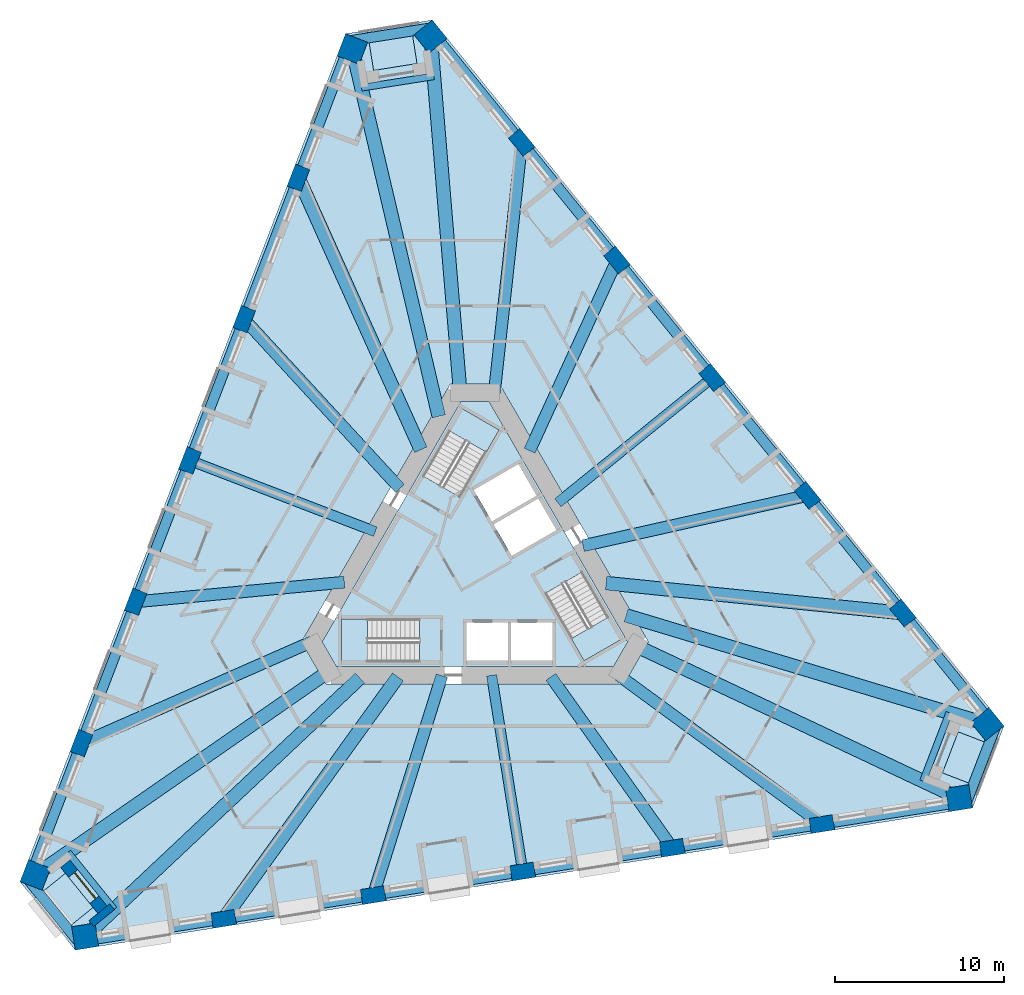
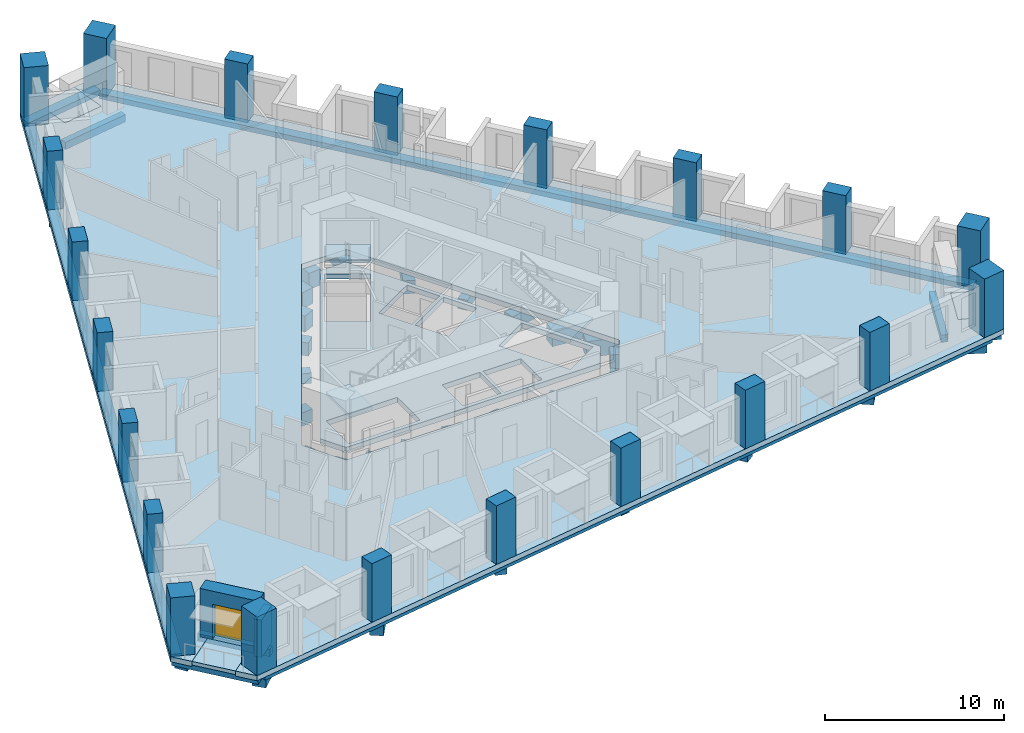
# One storey, part 1 of 14: 30 beams, 21 columns, 8 slabs, 2 walls, 1 door, 1 opening, 3 elements without a shape of their own.
"""IFC4 building model written with IfcOpenShell, lengths in metres."""

from ifc_helpers import new_model, si_unit, direction, frame, frame_2d, origin, origin_2d, place, context, subcontext, project, spatial, polyline, rectangle, outline, extrude, material, layer, layer_set, material_profile, profile_set, type_object, element, fill, aggregate, save


model = new_model("IFC4")

# Units and contexts
model_context = context("Model", 3, precision=1e-05, world=origin(), true_north=direction((0.0, 1.0)))
body_context = subcontext(model_context, "Body", "Model", "MODEL_VIEW")
ifc_project = project(units=[si_unit("LENGTHUNIT", "METRE"), si_unit("AREAUNIT", "SQUARE_METRE"), si_unit("VOLUMEUNIT", "CUBIC_METRE"), si_unit("PLANEANGLEUNIT", "RADIAN"), si_unit("MASSUNIT", "GRAM", prefix="KILO")], contexts=[model_context])

# Site, building, storey
site_placement = place(None, origin())
site = spatial("IfcSite", under=ifc_project, at=site_placement, CompositionType="ELEMENT")
building_placement = place(site_placement, origin())
building = spatial("IfcBuilding", under=site, at=building_placement, Name="Tramontana Tower", CompositionType="ELEMENT")
storey_placement = place(building_placement, frame((0.0, 0.0, 59.199951171875)))
storey = spatial("IfcBuildingStorey", under=building, at=storey_placement, Name="L12", CompositionType="ELEMENT", Elevation=59.199951171875)

# Columns
ifc_material_1 = material(Name="Concrete 70 MPa", Category="concrete")
ifc_material_profile_1 = material_profile(ifc_material_1, rectangle(XDim=1.39990234375, YDim=1.39990234375, at=origin_2d()), Name="Mega column 1400X1400 70 MPa")
ifc_profile_set_1 = profile_set([ifc_material_profile_1], Name="Concrete 70 MPa")
column_type_1 = type_object("IfcColumnType", Name="Mega column 1400X1400 70 MPa", PredefinedType="COLUMN", material=ifc_profile_set_1)
for number, where, z_axis, x_axis, name in (
    (1, (-7.24755859375, 30.7890625, 0.0), (0.0, 0.0, 1.0), (-0.358367949545, -0.933580426497, 0.0), "Mega column C1K1 L12"),
    (2, (-25.98779296875, -18.03125, 0.0), (0.0, 0.0, 1.0), (-0.358367949545, -0.933580426497, 0.0), "Mega column C1K2 L12"),
    (3, (-23.040283203125, -21.671142578125, 0.0), (0.0, 0.0, 1.0), (0.987688340595, 0.15643446504, 0.0), "Mega column C1K3 L12"),
    (4, (28.609375, -13.490478515625, 0.0), (0.0, 0.0, 1.0), (0.987688340595, 0.15643446504, 0.0), "Mega column C1K4 L12"),
    (5, (30.287841796875, -9.117919921875, 0.0), (0.0, 0.0, 1.0), (-0.62932039105, 0.777145961457, 0.0), "Mega column C1K5 L12"),
    (6, (-2.62158203125, 31.521728515625, 0.0), (0.0, 0.0, 1.0), (-0.62932039105, 0.777145961457, 0.0), "Mega column C1K6 L12"),
):
    element("IfcColumn", number, at=place(storey_placement, frame(where, z_axis=z_axis, x_axis=x_axis)), inside=storey, type_object=column_type_1, Name=name, PredefinedType="COLUMN", context=body_context, shape_type="SweptSolid", body=[
        extrude(rectangle(XDim=1.39990234375, YDim=1.39990234375, at=origin_2d()), origin(), (0.0, 0.0, 1.0), 4.0),
    ])
ifc_material_2 = material(Name="Concrete 55 MPa", Category="concrete")
ifc_material_profile_2 = material_profile(ifc_material_2, rectangle(XDim=1.39990234375, YDim=0.89990234375, at=origin_2d()), Name="Pier column 1400X900 55 MPa")
ifc_profile_set_2 = profile_set([ifc_material_profile_2], Name="Concrete 55 MPa")
column_type_2 = type_object("IfcColumnType", Name="Pier column 1400X900 55 MPa", PredefinedType="COLUMN", material=ifc_profile_set_2)
for number, where, z_axis, x_axis, name in (
    (7, (-10.43701171875, 23.177734375, 0.0), (0.0, 0.0, 1.0), (-0.358367949545, -0.933580426497, 0.0), "Pier column C1F01 L12"),
    (8, (-13.64404296875, 14.822998046875, 0.0), (0.0, 0.0, 1.0), (-0.358367949545, -0.933580426497, 0.0), "Pier column C1F02 L12"),
    (9, (-16.85107421875, 6.468505859375, 0.0), (0.0, 0.0, 1.0), (-0.358367949545, -0.933580426497, 0.0), "Pier column C1F03 L12"),
    (10, (-20.05810546875, -1.885986328125, 0.0), (0.0, 0.0, 1.0), (-0.358367949545, -0.933580426497, 0.0), "Pier column C1F04 L12"),
    (11, (-23.26513671875, -10.240478515625, 0.0), (0.0, 0.0, 1.0), (-0.358367949545, -0.933580426497, 0.0), "Pier column C1F05 L12"),
    (12, (-14.853759765625, -20.627685546875, 0.0), (0.0, 0.0, 1.0), (0.987688340595, 0.15643446504, 0.0), "Pier column C1F06 L12"),
    (13, (-6.01513671875, -19.227783203125, 0.0), (0.0, 0.0, 1.0), (0.987688340595, 0.15643446504, 0.0), "Pier column C1F07 L12"),
    (14, (2.82373046875, -17.827880859375, 0.0), (0.0, 0.0, 1.0), (0.987688340595, 0.15643446504, 0.0), "Pier column C1F08 L12"),
    (15, (11.662353515625, -16.427734375, 0.0), (0.0, 0.0, 1.0), (0.987688340595, 0.15643446504, 0.0), "Pier column C1F09 L12"),
    (16, (20.501220703125, -15.02783203125, 0.0), (0.0, 0.0, 1.0), (0.987688340595, 0.15643446504, 0.0), "Pier column C1F10 L12"),
    (17, (25.291015625, -2.550048828125, 0.0), (0.0, 0.0, 1.0), (-0.62932039105, 0.777145961457, 0.0), "Pier column C1F11 L12"),
    (18, (19.6591796875, 4.404541015625, 0.0), (0.0, 0.0, 1.0), (-0.62932039105, 0.777145961457, 0.0), "Pier column C1F12 L12"),
    (19, (14.027587890625, 11.359130859375, 0.0), (0.0, 0.0, 1.0), (-0.62932039105, 0.777145961457, 0.0), "Pier column C1F13 L12"),
    (20, (8.395751953125, 18.31396484375, 0.0), (0.0, 0.0, 1.0), (-0.62932039105, 0.777145961457, 0.0), "Pier column C1F14 L12"),
    (21, (2.763916015625, 25.2685546875, 0.0), (0.0, 0.0, 1.0), (-0.62932039105, 0.777145961457, 0.0), "Pier column C1F15 L12"),
):
    element("IfcColumn", number, at=place(storey_placement, frame(where, z_axis=z_axis, x_axis=x_axis)), inside=storey, type_object=column_type_2, Name=name, PredefinedType="COLUMN", context=body_context, shape_type="SweptSolid", body=[
        extrude(rectangle(XDim=1.39990234375, YDim=0.89990234375, at=origin_2d()), origin(), (0.0, 0.0, 1.0), 4.0),
    ])

# Beams
ifc_material_3 = material(Name="Concrete 40 MPa", Category="concrete")
ifc_material_profile_3 = material_profile(ifc_material_3, rectangle(XDim=0.60009765625, YDim=0.35009765625, at=origin_2d()), Name="RC EDGE BEAM 600X350 40 MPa")
ifc_profile_set_3 = profile_set([ifc_material_profile_3], Name="Concrete 40 MPa")
beam_type_1 = type_object("IfcBeamType", Name="RC EDGE BEAM 600X350 40 MPa", PredefinedType="SPANDREL", material=ifc_profile_set_3)
beam_1_placement = place(storey_placement, frame((-7.48095703125, 30.878662109375, -0.52490234375), z_axis=(-0.358365819965, -0.933581243964, 0.0), x_axis=(0.933581243964, -0.358365819965, 0.0)))
element("IfcBeam", 22, at=beam_1_placement, inside=storey, type_object=beam_type_1, Name="Spandrel beam S0 L12", PredefinedType="SPANDREL", context=body_context, shape_type="SweptSolid", body=[
    extrude(rectangle(XDim=0.60009765625, YDim=0.35009765625, at=origin_2d()), origin(), (0.0, 0.0, 1.0), 52.293701171875),
])
beam_2_placement = place(storey_placement, frame((-23.001220703125, -21.91796875, -0.52490234375), z_axis=(0.987688583718, 0.156432930012, 0.0), x_axis=(-0.156432930012, 0.987688583718, 0.0)))
element("IfcBeam", 23, at=beam_2_placement, inside=storey, type_object=beam_type_1, Name="Spandrel beam S1 L12", PredefinedType="SPANDREL", context=body_context, shape_type="SweptSolid", body=[
    extrude(rectangle(XDim=0.60009765625, YDim=0.35009765625, at=origin_2d()), origin(), (0.0, 0.0, 1.0), 52.29345703125),
])
beam_3_placement = place(storey_placement, frame((30.482177734375, -8.960693359375, -0.52490234375), z_axis=(-0.62931909415, 0.777147011664, 0.0), x_axis=(-0.777147011664, -0.62931909415, 0.0)))
element("IfcBeam", 24, at=beam_3_placement, inside=storey, type_object=beam_type_1, Name="Spandrel beam S2 L12", PredefinedType="SPANDREL", context=body_context, shape_type="SweptSolid", body=[
    extrude(rectangle(XDim=0.60009765625, YDim=0.35009765625, at=origin_2d()), origin(), (0.0, 0.0, 1.0), 52.293701171875),
])
beam_4_placement = place(storey_placement, frame((-2.447509765625, 32.061767578125, -0.52490234375), z_axis=(-0.987692388858, -0.156408903173, 0.0), x_axis=(0.156408903173, -0.987692388858, 0.0)))
element("IfcBeam", 25, at=beam_4_placement, inside=storey, type_object=beam_type_1, Name="Spandrel beam K0 L12", PredefinedType="SPANDREL", context=body_context, shape_type="SweptSolid", body=[
    extrude(rectangle(XDim=0.60009765625, YDim=0.35009765625, at=origin_2d()), origin(), (0.0, 0.0, 1.0), 5.1962890625),
])
for number, where, z_axis, x_axis, name in (
    (26, (-26.54248046875, -18.150634765625, -0.52490234375), (0.629325274503, -0.777142006889, 0.0), (0.777142006889, 0.629325274503, 0.0), "Spandrel beam K1 L12"),
    (27, (28.990234375, -13.9111328125, -0.52490234375), (0.358368174287, 0.933580340227, 0.0), (-0.933580340227, 0.358368174287, 0.0), "Spandrel beam K2 L12"),
):
    element("IfcBeam", number, at=place(storey_placement, frame(where, z_axis=z_axis, x_axis=x_axis)), inside=storey, type_object=beam_type_1, Name=name, PredefinedType="SPANDREL", context=body_context, shape_type="SweptSolid", body=[
        extrude(rectangle(XDim=0.60009765625, YDim=0.35009765625, at=origin_2d()), origin(), (0.0, 0.0, 1.0), 5.196044921875),
    ])
ifc_material_4 = material(Name="Concrete 40 MPa", Category="concrete")
ifc_material_profile_4 = material_profile(ifc_material_4, rectangle(XDim=0.60009765625, YDim=0.699951171875, at=origin_2d()), Name="RC GIRDER 600X700 40 MPa")
ifc_profile_set_4 = profile_set([ifc_material_profile_4], Name="Concrete 40 MPa")
beam_type_2 = type_object("IfcBeamType", Name="RC GIRDER 600X700 40 MPa", PredefinedType="BEAM", material=ifc_profile_set_4)
beam_5_placement = place(storey_placement, frame((-16.85107421875, 6.468505859375, -0.699951171875), z_axis=(0.933580146246, -0.358368679624, 0.0), x_axis=(0.358368679624, 0.933580146246, 0.0)))
element("IfcBeam", 28, at=beam_5_placement, inside=storey, type_object=beam_type_2, Name="Radial girder C1F03 L12", PredefinedType="BEAM", context=body_context, shape_type="SweptSolid", body=[
    extrude(rectangle(XDim=0.60009765625, YDim=0.699951171875, at=origin_2d()), origin(), (0.0, 0.0, 1.0), 11.74072265625),
])
for number, where, z_axis, x_axis, name in (
    (29, (2.823486328125, -17.827880859375, -0.699951171875), (-0.156412100064, 0.9876918826, 0.0), (-0.9876918826, -0.156412100064, 0.0), "Radial girder C1F08 L12"),
    (30, (14.027587890625, 11.359130859375, -0.699951171875), (-0.777154793409, -0.62930948434, 0.0), (0.62930948434, -0.777154793409, 0.0), "Radial girder C1F13 L12"),
):
    element("IfcBeam", number, at=place(storey_placement, frame(where, z_axis=z_axis, x_axis=x_axis)), inside=storey, type_object=beam_type_2, Name=name, PredefinedType="BEAM", context=body_context, shape_type="SweptSolid", body=[
        extrude(rectangle(XDim=0.60009765625, YDim=0.699951171875, at=origin_2d()), origin(), (0.0, 0.0, 1.0), 11.740966796875),
    ])
ifc_material_5 = material(Name="Concrete 40 MPa", Category="concrete")
ifc_material_profile_5 = material_profile(ifc_material_5, rectangle(XDim=0.699951171875, YDim=0.89990234375, at=origin_2d()), Name="RC GIRDER 700X900 40 MPa")
ifc_profile_set_5 = profile_set([ifc_material_profile_5], Name="Concrete 40 MPa")
beam_type_3 = type_object("IfcBeamType", Name="RC GIRDER 700X900 40 MPa", PredefinedType="BEAM", material=ifc_profile_set_5)
beam_6_placement = place(storey_placement, frame((-13.64404296875, 14.822998046875, -0.800048828125), z_axis=(0.677237750705, -0.735764248261, 0.0), x_axis=(0.735764248261, 0.677237750705, 0.0)))
element("IfcBeam", 31, at=beam_6_placement, inside=storey, type_object=beam_type_3, Name="Radial girder C1F02 L12", PredefinedType="BEAM", context=body_context, shape_type="SweptSolid", body=[
    extrude(rectangle(XDim=0.699951171875, YDim=0.89990234375, at=origin_2d()), origin(), (0.0, 0.0, 1.0), 13.598876953125),
])
beam_7_placement = place(storey_placement, frame((-20.05810546875, -1.885986328125, -0.800048828125), z_axis=(0.995608960431, 0.093609817375, 0.0), x_axis=(-0.093609817375, 0.995608960431, 0.0)))
element("IfcBeam", 32, at=beam_7_placement, inside=storey, type_object=beam_type_3, Name="Radial girder C1F04 L12", PredefinedType="BEAM", context=body_context, shape_type="SweptSolid", body=[
    extrude(rectangle(XDim=0.699951171875, YDim=0.89990234375, at=origin_2d()), origin(), (0.0, 0.0, 1.0), 12.3935546875),
])
beam_8_placement = place(storey_placement, frame((-23.26513671875, -10.240478515625, -0.800048828125), z_axis=(0.915262520168, 0.402857939199, 0.0), x_axis=(-0.402857939199, 0.915262520168, 0.0)))
element("IfcBeam", 33, at=beam_8_placement, inside=storey, type_object=beam_type_3, Name="Radial girder C1F05 L12", PredefinedType="BEAM", context=body_context, shape_type="SweptSolid", body=[
    extrude(rectangle(XDim=0.699951171875, YDim=0.89990234375, at=origin_2d()), origin(), (0.0, 0.0, 1.0), 14.87841796875),
])
beam_9_placement = place(storey_placement, frame((-6.01513671875, -19.227783203125, -0.800048828125), z_axis=(0.298567329493, 0.954388573779, 0.0), x_axis=(-0.954388573779, 0.298567329493, 0.0)))
element("IfcBeam", 34, at=beam_9_placement, inside=storey, type_object=beam_type_3, Name="Radial girder C1F07 L12", PredefinedType="BEAM", context=body_context, shape_type="SweptSolid", body=[
    extrude(rectangle(XDim=0.699951171875, YDim=0.89990234375, at=origin_2d()), origin(), (0.0, 0.0, 1.0), 13.599365234375),
])
beam_10_placement = place(storey_placement, frame((11.662353515625, -16.427978515625, -0.800048828125), z_axis=(-0.578872935906, 0.815417760461, 0.0), x_axis=(-0.815417760461, -0.578872935906, 0.0)))
element("IfcBeam", 35, at=beam_10_placement, inside=storey, type_object=beam_type_3, Name="Radial girder C1F09 L12", PredefinedType="BEAM", context=body_context, shape_type="SweptSolid", body=[
    extrude(rectangle(XDim=0.699951171875, YDim=0.89990234375, at=origin_2d()), origin(), (0.0, 0.0, 1.0), 12.3935546875),
])
beam_11_placement = place(storey_placement, frame((20.501220703125, -15.02783203125, -0.800048828125), z_axis=(-0.806528613825, 0.591195056712, 0.0), x_axis=(-0.591195056712, -0.806528613825, 0.0)))
element("IfcBeam", 36, at=beam_11_placement, inside=storey, type_object=beam_type_3, Name="Radial girder C1F10 L12", PredefinedType="BEAM", context=body_context, shape_type="SweptSolid", body=[
    extrude(rectangle(XDim=0.699951171875, YDim=0.89990234375, at=origin_2d()), origin(), (0.0, 0.0, 1.0), 14.878662109375),
])
beam_12_placement = place(storey_placement, frame((19.6591796875, 4.404541015625, -0.800048828125), z_axis=(-0.975807938002, -0.218629522556, 0.0), x_axis=(0.218629522556, -0.975807938002, 0.0)))
element("IfcBeam", 37, at=beam_12_placement, inside=storey, type_object=beam_type_3, Name="Radial girder C1F12 L12", PredefinedType="BEAM", context=body_context, shape_type="SweptSolid", body=[
    extrude(rectangle(XDim=0.699951171875, YDim=0.89990234375, at=origin_2d()), origin(), (0.0, 0.0, 1.0), 13.59912109375),
])
beam_13_placement = place(storey_placement, frame((8.395751953125, 18.31396484375, -0.800048828125), z_axis=(-0.416724572993, -0.909032799333, 0.0), x_axis=(0.909032799333, -0.416724572993, 0.0)))
element("IfcBeam", 38, at=beam_13_placement, inside=storey, type_object=beam_type_3, Name="Radial girder C1F14 L12", PredefinedType="BEAM", context=body_context, shape_type="SweptSolid", body=[
    extrude(rectangle(XDim=0.699951171875, YDim=0.89990234375, at=origin_2d()), origin(), (0.0, 0.0, 1.0), 12.393798828125),
])
beam_14_placement = place(storey_placement, frame((2.763916015625, 25.2685546875, -0.800048828125), z_axis=(-0.108724057734, -0.994071968858, 0.0), x_axis=(0.994071968858, -0.108724057734, 0.0)))
element("IfcBeam", 39, at=beam_14_placement, inside=storey, type_object=beam_type_3, Name="Radial girder C1F15 L12", PredefinedType="BEAM", context=body_context, shape_type="SweptSolid", body=[
    extrude(rectangle(XDim=0.699951171875, YDim=0.89990234375, at=origin_2d()), origin(), (0.0, 0.0, 1.0), 14.878662109375),
])
ifc_material_6 = material(Name="Concrete 40 MPa", Category="concrete")
ifc_material_profile_6 = material_profile(ifc_material_6, rectangle(XDim=0.800048828125, YDim=1.10009765625, at=origin_2d()), Name="RC GIRDER 800X1100 40 MPa")
ifc_profile_set_6 = profile_set([ifc_material_profile_6], Name="Concrete 40 MPa")
beam_type_4 = type_object("IfcBeamType", Name="RC GIRDER 800X1100 40 MPa", PredefinedType="BEAM", material=ifc_profile_set_6)
beam_15_placement = place(storey_placement, frame((-7.24755859375, 30.7890625, -0.89990234375), z_axis=(0.229129631405, -0.973395917401, 0.0), x_axis=(0.973395917401, 0.229129631405, 0.0)))
element("IfcBeam", 40, at=beam_15_placement, inside=storey, type_object=beam_type_4, Name="Radial girder C1K1 L12", PredefinedType="BEAM", context=body_context, shape_type="SweptSolid", body=[
    extrude(rectangle(XDim=0.800048828125, YDim=1.10009765625, at=origin_2d()), origin(), (0.0, 0.0, 1.0), 22.30322265625),
])
beam_16_placement = place(storey_placement, frame((-10.43701171875, 23.177490234375, -0.89990234375), z_axis=(0.410600793892, -0.91181521596, 0.0), x_axis=(0.91181521596, 0.410600793892, 0.0)))
element("IfcBeam", 41, at=beam_16_placement, inside=storey, type_object=beam_type_4, Name="Radial girder C1F01 L12", PredefinedType="BEAM", context=body_context, shape_type="SweptSolid", body=[
    extrude(rectangle(XDim=0.800048828125, YDim=1.10009765625, at=origin_2d()), origin(), (0.0, 0.0, 1.0), 17.626220703125),
])
beam_17_placement = place(storey_placement, frame((-25.98779296875, -18.03125, -0.89990234375), z_axis=(0.821603252741, 0.570059729402, 0.0), x_axis=(-0.570059729402, 0.821603252741, 0.0)))
element("IfcBeam", 42, at=beam_17_placement, inside=storey, type_object=beam_type_4, Name="Radial girder C1K2 L12", PredefinedType="BEAM", context=body_context, shape_type="SweptSolid", body=[
    extrude(rectangle(XDim=0.800048828125, YDim=1.10009765625, at=origin_2d()), origin(), (0.0, 0.0, 1.0), 21.11767578125),
])
beam_18_placement = place(storey_placement, frame((-23.040283203125, -21.671142578125, -0.89990234375), z_axis=(0.728416554247, 0.685134529489, 0.0), x_axis=(-0.685134529489, 0.728416554247, 0.0)))
element("IfcBeam", 43, at=beam_18_placement, inside=storey, type_object=beam_type_4, Name="Radial girder C1K3 L12", PredefinedType="BEAM", context=body_context, shape_type="SweptSolid", body=[
    extrude(rectangle(XDim=0.800048828125, YDim=1.10009765625, at=origin_2d()), origin(), (0.0, 0.0, 1.0), 22.30322265625),
])
beam_19_placement = place(storey_placement, frame((-14.85400390625, -20.627685546875, -0.89990234375), z_axis=(0.584356173005, 0.81149729702, 0.0), x_axis=(-0.81149729702, 0.584356173005, 0.0)))
element("IfcBeam", 44, at=beam_19_placement, inside=storey, type_object=beam_type_4, Name="Radial girder C1F06 L12", PredefinedType="BEAM", context=body_context, shape_type="SweptSolid", body=[
    extrude(rectangle(XDim=0.800048828125, YDim=1.10009765625, at=origin_2d()), origin(), (0.0, 0.0, 1.0), 17.626220703125),
])
beam_20_placement = place(storey_placement, frame((28.609375, -13.490478515625, -0.89990234375), z_axis=(-0.904488564757, 0.426497873645, 0.0), x_axis=(-0.426497873645, -0.904488564757, 0.0)))
element("IfcBeam", 45, at=beam_20_placement, inside=storey, type_object=beam_type_4, Name="Radial girder C1K4 L12", PredefinedType="BEAM", context=body_context, shape_type="SweptSolid", body=[
    extrude(rectangle(XDim=0.800048828125, YDim=1.10009765625, at=origin_2d()), origin(), (0.0, 0.0, 1.0), 21.11767578125),
])
beam_21_placement = place(storey_placement, frame((30.287841796875, -9.117919921875, -0.89990234375), z_axis=(-0.957551991149, 0.288260618619, 0.0), x_axis=(-0.288260618619, -0.957551991149, 0.0)))
element("IfcBeam", 46, at=beam_21_placement, inside=storey, type_object=beam_type_4, Name="Radial girder C1K5 L12", PredefinedType="BEAM", context=body_context, shape_type="SweptSolid", body=[
    extrude(rectangle(XDim=0.800048828125, YDim=1.10009765625, at=origin_2d()), origin(), (0.0, 0.0, 1.0), 22.303466796875),
])
beam_22_placement = place(storey_placement, frame((25.291015625, -2.550048828125, -0.89990234375), z_axis=(-0.99495498196, 0.100322399654, 0.0), x_axis=(-0.100322399654, -0.99495498196, 0.0)))
element("IfcBeam", 47, at=beam_22_placement, inside=storey, type_object=beam_type_4, Name="Radial girder C1F11 L12", PredefinedType="BEAM", context=body_context, shape_type="SweptSolid", body=[
    extrude(rectangle(XDim=0.800048828125, YDim=1.10009765625, at=origin_2d()), origin(), (0.0, 0.0, 1.0), 17.626220703125),
])
beam_23_placement = place(storey_placement, frame((-2.62158203125, 31.521728515625, -0.89990234375), z_axis=(0.082880913658, -0.996559458412, 0.0), x_axis=(0.996559458412, 0.082880913658, 0.0)))
element("IfcBeam", 48, at=beam_23_placement, inside=storey, type_object=beam_type_4, Name="Radial girder C1K6 L12", PredefinedType="BEAM", context=body_context, shape_type="SweptSolid", body=[
    extrude(rectangle(XDim=0.800048828125, YDim=1.10009765625, at=origin_2d()), origin(), (0.0, 0.0, 1.0), 21.11767578125),
])
ifc_material_7 = material(Name="Concrete 40 MPa", Category="concrete")
ifc_material_profile_7 = material_profile(ifc_material_7, rectangle(XDim=0.39990234375, YDim=0.5, at=origin_2d()), Name="RC TRIM BEAM 400X500 40 MPa")
ifc_profile_set_7 = profile_set([ifc_material_profile_7], Name="Concrete 40 MPa")
beam_type_5 = type_object("IfcBeamType", Name="RC TRIM BEAM 400X500 40 MPa", PredefinedType="JOIST", material=ifc_profile_set_7)
for number, where, z_axis, x_axis, name in (
    (49, (-2.4267578125, 29.1796875, -0.599853515625), (-0.987688889444, -0.156430999708, 0.0), (0.156430999708, -0.987688889444, 0.0), "Trimmer beam K0 L12"),
    (50, (-24.056884765625, -16.69140625, -0.599853515625), (0.629326191545, -0.777141264273, 0.0), (0.777141264273, 0.629326191545, 0.0), "Trimmer beam K1 L12"),
    (51, (26.483642578125, -12.48828125, -0.599853515625), (0.358345094406, 0.933589199442, 0.0), (-0.933589199442, 0.358345094406, 0.0), "Trimmer beam K2 L12"),
):
    element("IfcBeam", number, at=place(storey_placement, frame(where, z_axis=z_axis, x_axis=x_axis)), inside=storey, type_object=beam_type_5, Name=name, PredefinedType="JOIST", context=body_context, shape_type="SweptSolid", body=[
        extrude(rectangle(XDim=0.39990234375, YDim=0.5, at=origin_2d()), origin(), (0.0, 0.0, 1.0), 4.335693359375),
    ])

# Slabs
ifc_material_8 = material(Name="Precast concrete 50 MPa", Category="concrete")
ifc_layer_1 = layer(ifc_material_8, 0.25)
ifc_layer_set_1 = layer_set([ifc_layer_1], Name="LT1 Loggia floor tray 250")
slab_type_1 = type_object("IfcSlabType", Name="LT1 Loggia floor tray 250", PredefinedType="FLOOR", material=ifc_layer_set_1)
slab_1_placement = place(storey_placement, frame((0.0, 0.0, -0.25)))
element("IfcSlab", 52, at=slab_1_placement, inside=storey, type_object=slab_type_1, Name="Corner loggia floor L12 K10", PredefinedType="FLOOR", context=body_context, shape_type="SweptSolid", body=[
    extrude(outline(polyline([(-3.800048828125, 32.30322265625), (-3.424560546875, 29.932861328125), (-5.99267578125, 29.526123046875), (-6.3681640625, 31.896484375), (-3.800048828125, 32.30322265625)])), origin(), (0.0, 0.0, 1.0), 0.25),
])
slab_2_placement = place(storey_placement, frame((0.0, 0.0, -0.25)))
element("IfcSlab", 53, at=slab_2_placement, inside=storey, type_object=slab_type_1, Name="Corner loggia floor L12 K11", PredefinedType="FLOOR", context=body_context, shape_type="SweptSolid", body=[
    extrude(outline(polyline([(-26.075439453125, -19.442626953125), (-24.210205078125, -17.932373046875), (-22.573974609375, -19.952880859375), (-24.439208984375, -21.463134765625), (-26.075439453125, -19.442626953125)])), origin(), (0.0, 0.0, 1.0), 0.25),
])
slab_3_placement = place(storey_placement, frame((0.0, 0.0, -0.25)))
element("IfcSlab", 54, at=slab_3_placement, inside=storey, type_object=slab_type_1, Name="Corner loggia floor L12 K12", PredefinedType="FLOOR", context=body_context, shape_type="SweptSolid", body=[
    extrude(outline(polyline([(29.87548828125, -12.860595703125), (27.635009765625, -12.00048828125), (28.566650390625, -9.5732421875), (30.80712890625, -10.433349609375), (29.87548828125, -12.860595703125)])), origin(), (0.0, 0.0, 1.0), 0.25),
])
ifc_material_9 = material(Name="Concrete 40 MPa", Category="concrete")
ifc_layer_2 = layer(ifc_material_9, 0.35009765625)
ifc_layer_set_2 = layer_set([ifc_layer_2], Name="PT FLAT SLAB 350 40 MPa")
slab_type_2 = type_object("IfcSlabType", Name="PT FLAT SLAB 350 40 MPa", PredefinedType="FLOOR", material=ifc_layer_set_2)
slab_4_placement = place(storey_placement, frame((0.0, 0.0, -0.349853515625)))
element("IfcSlab", 55, at=slab_4_placement, inside=storey, type_object=slab_type_2, Name="Floor slab L12", PredefinedType="FLOOR", context=body_context, shape_type="SweptSolid", body=[
    extrude(outline(polyline([(30.80712890625, -10.433349609375), (28.566650390625, -9.5732421875), (27.635009765625, -12.00048828125), (29.87548828125, -12.860595703125), (29.410400390625, -14.072509765625), (-23.622314453125, -22.471923828125), (-24.439208984375, -21.463134765625), (-22.573974609375, -19.952880859375), (-24.210205078125, -17.932373046875), (-26.075439453125, -19.442626953125), (-26.892333984375, -18.433837890625), (-7.650146484375, 31.693359375), (-6.3681640625, 31.896484375), (-5.99267578125, 29.526123046875), (-3.4248046875, 29.932861328125), (-3.800048828125, 32.30322265625), (-2.51806640625, 32.50634765625), (31.2724609375, -9.221435546875), (30.80712890625, -10.433349609375)]), holes=[polyline([(-10.248046875, -4.25), (-8.8046875, -6.75), (8.8046875, -6.75), (10.248046875, -4.25), (1.443359375, 11.0), (-1.443359375, 11.0), (-10.248046875, -4.25)])]), origin(), (0.0, 0.0, 1.0), 0.349853515625),
])
slab_5_placement = place(storey_placement, frame((0.0, 0.0, -0.349853515625)))
element("IfcSlab", 56, at=slab_5_placement, inside=storey, type_object=slab_type_2, Name="Core floor slab L12", PredefinedType="FLOOR", context=body_context, shape_type="SweptSolid", body=[
    extrude(outline(polyline([(9.035400390625, -4.25), (8.198486328125, -5.699951171875), (-8.198486328125, -5.699951171875), (-9.035400390625, -4.25), (-0.837158203125, 9.949951171875), (0.837158203125, 9.949951171875), (9.035400390625, -4.25)]), holes=[polyline([(8.659912109375, -4.099365234375), (6.35986328125, -0.115478515625), (4.151611328125, -1.390625), (6.451416015625, -5.374267578125), (8.659912109375, -4.099365234375)]), polyline([(3.829833984375, 4.2666015625), (1.101806640625, 2.69140625), (2.177001953125, 0.82958984375), (4.90478515625, 2.404541015625), (3.829833984375, 4.2666015625)]), polyline([(4.590087890625, -3.10009765625), (2.139892578125, -3.10009765625), (2.139892578125, -5.449951171875), (4.590087890625, -5.449951171875), (4.590087890625, -3.10009765625)]), polyline([(2.65478515625, 6.3017578125), (-0.072998046875, 4.726806640625), (1.001953125, 2.86474609375), (3.729736328125, 4.439697265625), (2.65478515625, 6.3017578125)]), polyline([(1.93994140625, -5.449951171875), (1.93994140625, -3.10009765625), (-0.510009765625, -3.10009765625), (-0.510009765625, -5.449951171875), (1.93994140625, -5.449951171875)]), polyline([(-0.77978515625, 9.54931640625), (-3.079833984375, 5.565673828125), (-0.87158203125, 4.29052734375), (1.428466796875, 8.2744140625), (-0.77978515625, 9.54931640625)]), polyline([(-7.8798828125, -5.449951171875), (-3.280029296875, -5.449951171875), (-3.280029296875, -2.89990234375), (-7.8798828125, -2.89990234375), (-7.8798828125, -5.449951171875)])]), origin(), (0.0, 0.0, 1.0), 0.349853515625),
])

# Stair, slab
ifc_material_10 = material(Name="Concrete 40 MPa", Category="concrete")
stair_type = type_object("IfcStairType", Name="EXIT STAIR 24 RISERS", PredefinedType="HALF_TURN_STAIR", material=ifc_material_10)
stair_1_placement = place(storey_placement, origin())
stair_1 = element("IfcStair", 57, at=stair_1_placement, inside=storey, type_object=stair_type, Name="L12 Exit stair ST1", PredefinedType="HALF_TURN_STAIR")
ifc_material_11 = material(Name="Concrete 40 MPa", Category="concrete")
ifc_layer_3 = layer(ifc_material_11, 0.199951171875)
ifc_layer_set_3 = layer_set([ifc_layer_3], Name="STAIR LANDING 200")
slab_type_3 = type_object("IfcSlabType", Name="STAIR LANDING 200", PredefinedType="LANDING", material=ifc_layer_set_3)
slab_6_placement = place(storey_placement, frame((0.0, 0.0, 1.800048828125)))
slab_6 = element("IfcSlab", 58, at=slab_6_placement, type_object=slab_type_3, Name="ST1 landing 1", PredefinedType="LANDING", context=body_context, shape_type="SweptSolid", body=[
    extrude(outline(polyline([(0.66845703125, 6.9580078125), (1.428466796875, 8.274169921875), (-0.77978515625, 9.54931640625), (-1.539794921875, 8.23291015625), (0.66845703125, 6.9580078125)])), origin(), (0.0, 0.0, 1.0), 0.199951171875),
])
aggregate(stair_1, [slab_6])

stair_2_placement = place(storey_placement, origin())
stair_2 = element("IfcStair", 59, at=stair_2_placement, inside=storey, type_object=stair_type, Name="L12 Exit stair ST2", PredefinedType="HALF_TURN_STAIR")
slab_7_placement = place(storey_placement, frame((0.0, 0.0, 1.800048828125)))
slab_7 = element("IfcSlab", 60, at=slab_7_placement, type_object=slab_type_3, Name="ST2 landing 1", PredefinedType="LANDING", context=body_context, shape_type="SweptSolid", body=[
    extrude(outline(polyline([(-6.360107421875, -2.89990234375), (-7.8798828125, -2.89990234375), (-7.8798828125, -5.449951171875), (-6.360107421875, -5.449951171875), (-6.360107421875, -2.89990234375)])), origin(), (0.0, 0.0, 1.0), 0.199951171875),
])
aggregate(stair_2, [slab_7])

stair_3_placement = place(storey_placement, origin())
stair_3 = element("IfcStair", 61, at=stair_3_placement, inside=storey, type_object=stair_type, Name="L12 Exit stair ST3", PredefinedType="HALF_TURN_STAIR")
slab_8_placement = place(storey_placement, frame((0.0, 0.0, 1.800048828125)))
slab_8 = element("IfcSlab", 62, at=slab_8_placement, type_object=slab_type_3, Name="ST3 landing 1", PredefinedType="LANDING", context=body_context, shape_type="SweptSolid", body=[
    extrude(outline(polyline([(5.69140625, -4.057861328125), (6.451416015625, -5.374267578125), (8.659912109375, -4.099365234375), (7.89990234375, -2.782958984375), (5.69140625, -4.057861328125)])), origin(), (0.0, 0.0, 1.0), 0.199951171875),
])
aggregate(stair_3, [slab_8])

# Wall
ifc_material_12 = material(Name="Precast concrete 60 MPa", Category="concrete")
ifc_layer_4 = layer(ifc_material_12, 0.449951171875)
ifc_layer_set_4 = layer_set([ifc_layer_4], Name="Precast concrete 60 MPa, 450 mm")
wall_type_1 = type_object("IfcWallType", Name="EW1 Stone-faced precast wall 450", PredefinedType="SOLIDWALL", material=ifc_layer_set_4)
wall_1_placement = place(storey_placement, frame((-22.677001953125, -20.90478515625, 0.0), z_axis=(0.0, 0.0, 1.0), x_axis=(0.777205264571, 0.629247150747, 0.0)))
element("IfcWall", 63, at=wall_1_placement, inside=storey, type_object=wall_type_1, Name="Corner loggia side wall L12 K11l", PredefinedType="SOLIDWALL", context=body_context, shape_type="SweptSolid", body=[
    extrude(rectangle(XDim=1.5791015625, YDim=0.449951171875, at=frame_2d((0.78955078125, 0.0))), origin(), (0.0, 0.0, 1.0), 2.550048828125),
])

# Wall, opening, door
ifc_material_13 = material(Name="Precast concrete 60 MPa", Category="concrete")
ifc_layer_5 = layer(ifc_material_13, 0.89990234375)
ifc_layer_set_5 = layer_set([ifc_layer_5], Name="EW2 Stone-faced corner loggia wall 900")
wall_type_2 = type_object("IfcWallType", Name="EW2 Stone-faced corner loggia wall 900", PredefinedType="SOLIDWALL", material=ifc_layer_set_5)
wall_2_placement = place(storey_placement, frame((-21.941162109375, -20.019287109375, 0.0), z_axis=(0.0, 0.0, 1.0), x_axis=(-0.629328651904, 0.777139271876, 0.0)))
wall_2 = element("IfcWall", 64, at=wall_2_placement, inside=storey, type_object=wall_type_2, Name="Corner loggia wall L12 K11", PredefinedType="SOLIDWALL", context=body_context, shape_type="SweptSolid", body=[
    extrude(rectangle(XDim=3.5, YDim=0.89990234375, at=frame_2d((1.75, 0.0))), origin(), (0.0, 0.0, 1.0), 3.300048828125),
])
opening_placement = place(wall_2_placement, frame((0.75, 0.0, 0.0)))
opening = element("IfcOpeningElement", 65, at=opening_placement, cuts=wall_2, Name="Opening BD-11C", PredefinedType="OPENING", context=body_context, shape_type="SweptSolid", body=[
    extrude(rectangle(XDim=2.0, YDim=2.39990234375, at=frame_2d((1.0, 1.199951171875))), frame((0.0, 0.4599609375, 0.0), z_axis=(0.0, -1.0, 0.0), x_axis=(1.0, 0.0, 0.0)), (0.0, 0.0, 1.0), 0.919921875),
])
ifc_material_14 = material(Name="Aluminum frame, double glazing unit", Category="aluminium")
door_type = type_object("IfcDoorType", Name="BC1 Sliding door 2 x 2.4", OperationType="SLIDING_TO_LEFT", PredefinedType="DOOR", material=ifc_material_14)
door_placement = place(opening_placement, origin())
door = element("IfcDoor", 66, at=door_placement, inside=storey, type_object=door_type, Name="Corner loggia door L12 K11", OperationType="SLIDING_TO_LEFT", OverallHeight=2.39990234375, OverallWidth=2.0, PredefinedType="DOOR", context=body_context, shape_type="SweptSolid", body=[
    extrude(rectangle(XDim=2.0, YDim=2.39990234375, at=frame_2d((1.0, 1.199951171875))), frame((0.0, 0.02490234375, 0.0), z_axis=(0.0, -1.0, 0.0), x_axis=(1.0, 0.0, 0.0)), (0.0, 0.0, 1.0), 0.050048828125),
])
fill(opening, door)

save(model, "model.ifc")
